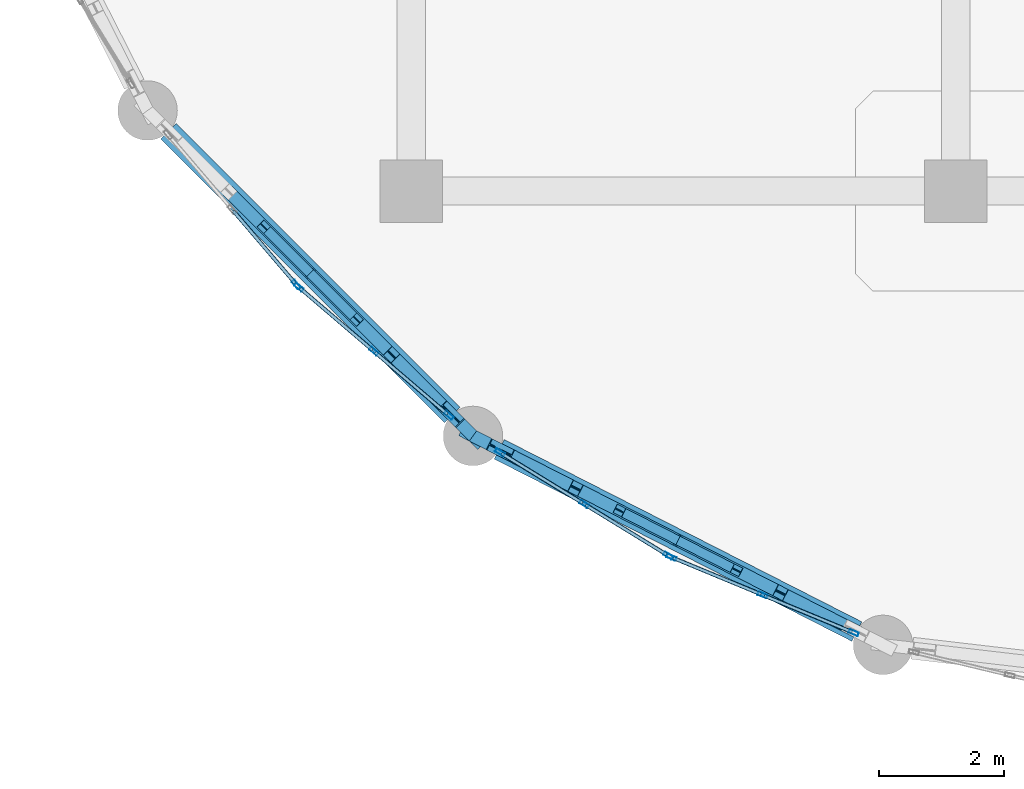
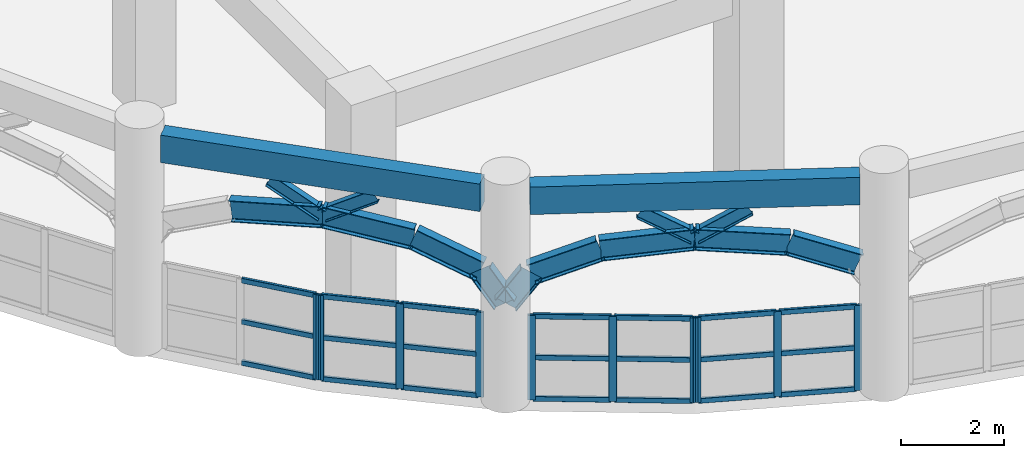
# One storey, part 2 of 114: 35 members, 11 beams, 4 elements without a shape of their own.
"""IFC4 building model written with IfcOpenShell, lengths in metres."""

from ifc_helpers import new_model, si_unit, derived_unit, direction, frame, origin, origin_2d, place, context, subcontext, project, spatial, rectangle, hollow_rectangle, i_section, extrude, material, layer, layer_set, material_profile, profile_set, type_object, element, aggregate, save


model = new_model("IFC4")

# Units and contexts
model_context = context("Model", 3, precision=1e-05, world=origin(), true_north=direction((0.0, 1.0)))
body_context = subcontext(model_context, "Body", "Model", "MODEL_VIEW")
ifc_project = project(units=[si_unit("LENGTHUNIT", "METRE"), si_unit("AREAUNIT", "SQUARE_METRE"), si_unit("VOLUMEUNIT", "CUBIC_METRE"), si_unit("PLANEANGLEUNIT", "RADIAN"), si_unit("MASSUNIT", "GRAM", prefix="KILO"), derived_unit("THERMALTRANSMITTANCEUNIT", [(si_unit("MASSUNIT", "GRAM", prefix="KILO"), 1), (si_unit("TIMEUNIT", "SECOND"), -3), (si_unit("THERMODYNAMICTEMPERATUREUNIT", "KELVIN"), -1)])], contexts=[model_context])

# Site, building, storey
site_placement = place(None, origin())
site = spatial("IfcSite", under=ifc_project, at=site_placement, CompositionType="ELEMENT")
building_placement = place(site_placement, origin())
building = spatial("IfcBuilding", under=site, at=building_placement, Name="Qinzheling Arcade Emporium", CompositionType="ELEMENT")
storey_placement = place(building_placement, frame((0.0, 0.0, 6.0)))
storey = spatial("IfcBuildingStorey", under=building, at=storey_placement, Name="L02", CompositionType="ELEMENT", Elevation=6.0)

# Beams
ifc_material_1 = material(Name="Weathering steel Q355NH", Category="steel")
ifc_material_profile_1 = material_profile(ifc_material_1, i_section(OverallWidth=0.199951171875, OverallDepth=0.5, WebThickness=0.010009765625, FlangeThickness=0.01611328125, FilletRadius=0.01806640625, at=origin_2d()), Name="HN 500x200x10x16", Category="steel")
ifc_profile_set_1 = profile_set([ifc_material_profile_1], Name="Weathering steel Q355NH")
beam_type_1 = type_object("IfcBeamType", Name="Arcade End Arch Rib HN500 Q355NH", PredefinedType="BEAM", material=ifc_profile_set_1)
for number, where, z_axis, x_axis, name in (
    (1, (5.7880859375, 8.386962890625, 3.509033203125), (0.703519590713, -0.703123167202, 0.10333439518), (0.706907474547, 0.707306031665, 0.0), "Curved Arcade Entrance Arch ARC-L02-CV1-B03-C03"),
    (2, (7.087890625, 7.087890625, 3.699951171875), (0.703123167202, -0.703519590713, -0.10333439518), (0.707306031665, 0.706907474547, 0.0), "Curved Arcade Entrance Arch ARC-L02-CV1-B03-C04"),
):
    element("IfcBeam", number, at=place(storey_placement, frame(where, z_axis=z_axis, x_axis=x_axis)), inside=storey, type_object=beam_type_1, Name=name, PredefinedType="BEAM", context=body_context, shape_type="SweptSolid", body=[
        extrude(i_section(OverallWidth=0.199951171875, OverallDepth=0.5, WebThickness=0.010009765625, FlangeThickness=0.01611328125, FilletRadius=0.01806640625, at=origin_2d()), origin(), (0.0, 0.0, 1.0), 1.84765625),
    ])
beam_1_placement = place(storey_placement, frame((8.386962890625, 5.7880859375, 3.509033203125), z_axis=(0.659465723282, -0.659465723282, -0.360846116278), x_axis=(0.707106781187, 0.707106781187, 0.0)))
element("IfcBeam", 3, at=beam_1_placement, inside=storey, type_object=beam_type_1, Name="Curved Arcade Entrance Arch ARC-L02-CV1-B03-C05", PredefinedType="BEAM", context=body_context, shape_type="SweptSolid", body=[
    extrude(i_section(OverallWidth=0.199951171875, OverallDepth=0.5, WebThickness=0.010009765625, FlangeThickness=0.01611328125, FilletRadius=0.01806640625, at=origin_2d()), origin(), (0.0, 0.0, 1.0), 1.44384765625),
])
beam_2_placement = place(storey_placement, frame((9.339111328125, 4.8359375, 2.988037109375), z_axis=(0.401552002727, -0.401552002727, -0.823111157871), x_axis=(0.707106781187, 0.707106781187, 0.0)))
element("IfcBeam", 4, at=beam_2_placement, inside=storey, type_object=beam_type_1, Name="Curved Arcade Entrance Arch ARC-L02-CV1-B03-C06", PredefinedType="BEAM", context=body_context, shape_type="SweptSolid", body=[
    extrude(i_section(OverallWidth=0.199951171875, OverallDepth=0.5, WebThickness=0.010009765625, FlangeThickness=0.01611328125, FilletRadius=0.01806640625, at=origin_2d()), origin(), (0.0, 0.0, 1.0), 0.866455078125),
])
beam_3_placement = place(storey_placement, frame((9.68701171875, 4.488037109375, 2.27490234375), z_axis=(0.506373029134, -0.258537508757, 0.822644948888), x_axis=(0.454726998779, 0.890630875605, 0.0)))
element("IfcBeam", 5, at=beam_3_placement, inside=storey, type_object=beam_type_1, Name="Curved Arcade Entrance Arch ARC-L02-CV1-B04-C01", PredefinedType="BEAM", context=body_context, shape_type="SweptSolid", body=[
    extrude(i_section(OverallWidth=0.199951171875, OverallDepth=0.5, WebThickness=0.010009765625, FlangeThickness=0.01611328125, FilletRadius=0.01806640625, at=origin_2d()), origin(), (0.0, 0.0, 1.0), 0.866943359375),
])
beam_4_placement = place(storey_placement, frame((10.1259765625, 4.263916015625, 2.988037109375), z_axis=(0.831157465024, -0.422771604079, 0.361166774661), x_axis=(0.453373771918, 0.891320493951, 0.0)))
element("IfcBeam", 6, at=beam_4_placement, inside=storey, type_object=beam_type_1, Name="Curved Arcade Entrance Arch ARC-L02-CV1-B04-C02", PredefinedType="BEAM", context=body_context, shape_type="SweptSolid", body=[
    extrude(i_section(OverallWidth=0.199951171875, OverallDepth=0.5, WebThickness=0.010009765625, FlangeThickness=0.01611328125, FilletRadius=0.01806640625, at=origin_2d()), origin(), (0.0, 0.0, 1.0), 1.442626953125),
])
beam_5_placement = place(storey_placement, frame((11.324951171875, 3.654052734375, 3.509033203125), z_axis=(0.886042070037, -0.45194092163, 0.103338538221), x_axis=(0.454373527585, 0.890811258028, 0.0)))
element("IfcBeam", 7, at=beam_5_placement, inside=storey, type_object=beam_type_1, Name="Curved Arcade Entrance Arch ARC-L02-CV1-B04-C03", PredefinedType="BEAM", context=body_context, shape_type="SweptSolid", body=[
    extrude(i_section(OverallWidth=0.199951171875, OverallDepth=0.5, WebThickness=0.010009765625, FlangeThickness=0.01611328125, FilletRadius=0.01806640625, at=origin_2d()), origin(), (0.0, 0.0, 1.0), 1.847412109375),
])
beam_6_placement = place(storey_placement, frame((12.9619140625, 2.819091796875, 3.699951171875), z_axis=(0.886395360669, -0.451255819977, -0.103302708203), x_axis=(0.45368304067, 0.891163115601, 0.0)))
element("IfcBeam", 8, at=beam_6_placement, inside=storey, type_object=beam_type_1, Name="Curved Arcade Entrance Arch ARC-L02-CV1-B04-C04", PredefinedType="BEAM", context=body_context, shape_type="SweptSolid", body=[
    extrude(i_section(OverallWidth=0.199951171875, OverallDepth=0.5, WebThickness=0.010009765625, FlangeThickness=0.01611328125, FilletRadius=0.01806640625, at=origin_2d()), origin(), (0.0, 0.0, 1.0), 1.84814453125),
])
beam_7_placement = place(storey_placement, frame((14.60009765625, 1.985107421875, 3.509033203125), z_axis=(0.830859974108, -0.423466201424, -0.36103750453), x_axis=(0.454094271362, 0.890953642293, 0.0)))
element("IfcBeam", 9, at=beam_7_placement, inside=storey, type_object=beam_type_1, Name="Curved Arcade Entrance Arch ARC-L02-CV1-B04-C05", PredefinedType="BEAM", context=body_context, shape_type="SweptSolid", body=[
    extrude(i_section(OverallWidth=0.199951171875, OverallDepth=0.5, WebThickness=0.010009765625, FlangeThickness=0.01611328125, FilletRadius=0.01806640625, at=origin_2d()), origin(), (0.0, 0.0, 1.0), 1.443115234375),
])

# Members
ifc_material_profile_2 = material_profile(ifc_material_1, i_section(OverallWidth=0.14990234375, OverallDepth=0.300048828125, WebThickness=0.006591796875, FlangeThickness=0.009033203125, FilletRadius=0.012939453125, at=origin_2d()), Name="HN 300x150x6.5x9", Category="steel")
ifc_profile_set_2 = profile_set([ifc_material_profile_2], Name="Weathering steel Q355NH")
member_type_1 = type_object("IfcMemberType", Name="Arcade Spandrel Web Chord HN300 Q355NH", PredefinedType="CHORD", material=ifc_profile_set_2)
for number, where, z_axis, x_axis, name in (
    (10, (7.087890625, 7.087890625, 3.7099609375), (-0.604070350745, 0.603474816387, 0.520497029134), (-0.706757965934, -0.707455424453, 0.0), "Arcade Spandrel Web Chord ASW-L02-CV1-B03-W1"),
    (11, (7.087890625, 7.087890625, 3.7099609375), (0.603474816387, -0.604070350745, 0.520497029134), (0.707455424453, 0.706757965934, 0.0), "Arcade Spandrel Web Chord ASW-L02-CV1-B03-W2"),
):
    element("IfcMember", number, at=place(storey_placement, frame(where, z_axis=z_axis, x_axis=x_axis)), inside=storey, type_object=member_type_1, Name=name, PredefinedType="CHORD", context=body_context, shape_type="SweptSolid", body=[
        extrude(i_section(OverallWidth=0.14990234375, OverallDepth=0.300048828125, WebThickness=0.006591796875, FlangeThickness=0.009033203125, FilletRadius=0.012939453125, at=origin_2d()), origin(), (0.0, 0.0, 1.0), 1.229736328125),
    ])
member_1_placement = place(storey_placement, frame((12.9619140625, 2.819091796875, 3.7099609375), z_axis=(-0.760490027653, 0.38789162288, 0.520763868505), x_axis=(-0.454364854238, -0.890815681964, 0.0)))
element("IfcMember", 12, at=member_1_placement, inside=storey, type_object=member_type_1, Name="Arcade Spandrel Web Chord ASW-L02-CV1-B04-W1", PredefinedType="CHORD", context=body_context, shape_type="SweptSolid", body=[
    extrude(i_section(OverallWidth=0.14990234375, OverallDepth=0.300048828125, WebThickness=0.006591796875, FlangeThickness=0.009033203125, FilletRadius=0.012939453125, at=origin_2d()), origin(), (0.0, 0.0, 1.0), 1.229248046875),
])
member_2_placement = place(storey_placement, frame((12.9619140625, 2.819091796875, 3.7099609375), z_axis=(0.760849744459, -0.387767449315, 0.520330732908), x_axis=(0.454078946056, 0.890961453009, 0.0)))
element("IfcMember", 13, at=member_2_placement, inside=storey, type_object=member_type_1, Name="Arcade Spandrel Web Chord ASW-L02-CV1-B04-W2", PredefinedType="CHORD", context=body_context, shape_type="SweptSolid", body=[
    extrude(i_section(OverallWidth=0.14990234375, OverallDepth=0.300048828125, WebThickness=0.006591796875, FlangeThickness=0.009033203125, FilletRadius=0.012939453125, at=origin_2d()), origin(), (0.0, 0.0, 1.0), 1.230224609375),
])

# Curtain wall, members
ifc_material_2 = material(Name="Anodised aluminium and solar-control double glazing", Category="aluminium")
ifc_layer = layer(ifc_material_2, 0.159912109375, Name="Anodised aluminium and solar-control double glazing", Category="aluminium")
ifc_layer_set = layer_set([ifc_layer], Name="Anodised aluminium and solar-control double glazing")
curtain_wall_type = type_object("IfcCurtainWallType", Name="Curved Ribbon Sales Curtain Wall", PredefinedType="NOTDEFINED", material=ifc_layer_set)
curtain_wall_1_placement = place(storey_placement, origin())
curtain_wall_1 = element("IfcCurtainWall", 14, at=curtain_wall_1_placement, inside=storey, type_object=curtain_wall_type, Name="Curtain Wall CW-L02-075", PredefinedType="NOTDEFINED")
ifc_material_3 = material(Name="Anodised aluminium 6063-T6", Category="aluminium")
ifc_material_profile_3 = material_profile(ifc_material_3, hollow_rectangle(XDim=0.06005859375, YDim=0.159912109375, WallThickness=0.00390625, InnerFilletRadius=0.00390625, OuterFilletRadius=0.008056640625, at=origin_2d()), Name="RHS 160x60x4", Category="aluminium")
ifc_profile_set_3 = profile_set([ifc_material_profile_3], Name="Anodised aluminium 6063-T6")
member_type_2 = type_object("IfcMemberType", Name="Curtain Wall Mullion RHS160x60", PredefinedType="MULLION", material=ifc_profile_set_3)
member_3_placement = place(storey_placement, frame((15.769287109375, 1.344482421875, 0.0), z_axis=(0.0, 0.0, 1.0), x_axis=(-0.382535212849, -0.923940913117, 0.0)))
member_3 = element("IfcMember", 15, at=member_3_placement, type_object=member_type_2, Name="CW02 mullion 1", PredefinedType="MULLION", context=body_context, shape_type="SweptSolid", body=[
    extrude(hollow_rectangle(XDim=0.06005859375, YDim=0.159912109375, WallThickness=0.00390625, InnerFilletRadius=0.00390625, OuterFilletRadius=0.008056640625, at=origin_2d()), origin(), (0.0, 0.0, 1.0), 2.010009765625),
])
member_4_placement = place(storey_placement, frame((14.31396484375, 1.947021484375, 0.0), z_axis=(0.0, 0.0, 1.0), x_axis=(-0.382535212849, -0.923940913117, 0.0)))
member_4 = element("IfcMember", 16, at=member_4_placement, type_object=member_type_2, Name="CW02 mullion 2", PredefinedType="MULLION", context=body_context, shape_type="SweptSolid", body=[
    extrude(hollow_rectangle(XDim=0.06005859375, YDim=0.159912109375, WallThickness=0.00390625, InnerFilletRadius=0.00390625, OuterFilletRadius=0.008056640625, at=origin_2d()), origin(), (0.0, 0.0, 1.0), 2.010009765625),
])
member_5_placement = place(storey_placement, frame((12.858642578125, 2.549560546875, 0.0), z_axis=(0.0, 0.0, 1.0), x_axis=(-0.382535212849, -0.923940913117, 0.0)))
member_5 = element("IfcMember", 17, at=member_5_placement, type_object=member_type_2, Name="CW02 mullion 3", PredefinedType="MULLION", context=body_context, shape_type="SweptSolid", body=[
    extrude(hollow_rectangle(XDim=0.06005859375, YDim=0.159912109375, WallThickness=0.00390625, InnerFilletRadius=0.00390625, OuterFilletRadius=0.008056640625, at=origin_2d()), origin(), (0.0, 0.0, 1.0), 2.010009765625),
])

curtain_wall_2_placement = place(storey_placement, origin())
curtain_wall_2 = element("IfcCurtainWall", 18, at=curtain_wall_2_placement, inside=storey, type_object=curtain_wall_type, Name="Curtain Wall CW-L02-076", PredefinedType="NOTDEFINED")
member_6_placement = place(storey_placement, frame((12.805419921875, 2.57666015625, 0.0), z_axis=(0.0, 0.0, 1.0), x_axis=(-0.522671615243, -0.852534094696, 0.0)))
member_6 = element("IfcMember", 19, at=member_6_placement, type_object=member_type_2, Name="CW02 mullion 1", PredefinedType="MULLION", context=body_context, shape_type="SweptSolid", body=[
    extrude(hollow_rectangle(XDim=0.06005859375, YDim=0.159912109375, WallThickness=0.00390625, InnerFilletRadius=0.00390625, OuterFilletRadius=0.008056640625, at=origin_2d()), origin(), (0.0, 0.0, 1.0), 2.010009765625),
])
member_7_placement = place(storey_placement, frame((11.46240234375, 3.39990234375, 0.0), z_axis=(0.0, 0.0, 1.0), x_axis=(-0.522671615243, -0.852534094696, 0.0)))
member_7 = element("IfcMember", 20, at=member_7_placement, type_object=member_type_2, Name="CW02 mullion 2", PredefinedType="MULLION", context=body_context, shape_type="SweptSolid", body=[
    extrude(hollow_rectangle(XDim=0.06005859375, YDim=0.159912109375, WallThickness=0.00390625, InnerFilletRadius=0.00390625, OuterFilletRadius=0.008056640625, at=origin_2d()), origin(), (0.0, 0.0, 1.0), 2.010009765625),
])
member_8_placement = place(storey_placement, frame((10.11962890625, 4.223388671875, 0.0), z_axis=(0.0, 0.0, 1.0), x_axis=(-0.522671615243, -0.852534094696, 0.0)))
member_8 = element("IfcMember", 21, at=member_8_placement, type_object=member_type_2, Name="CW02 mullion 3", PredefinedType="MULLION", context=body_context, shape_type="SweptSolid", body=[
    extrude(hollow_rectangle(XDim=0.06005859375, YDim=0.159912109375, WallThickness=0.00390625, InnerFilletRadius=0.00390625, OuterFilletRadius=0.008056640625, at=origin_2d()), origin(), (0.0, 0.0, 1.0), 2.010009765625),
])

curtain_wall_3_placement = place(storey_placement, origin())
curtain_wall_3 = element("IfcCurtainWall", 22, at=curtain_wall_3_placement, inside=storey, type_object=curtain_wall_type, Name="Curtain Wall CW-L02-077", PredefinedType="NOTDEFINED")
member_9_placement = place(storey_placement, frame((9.30126953125, 4.8173828125, 0.0), z_axis=(0.0, 0.0, 1.0), x_axis=(-0.649482098021, -0.760376883098, 0.0)))
member_9 = element("IfcMember", 23, at=member_9_placement, type_object=member_type_2, Name="CW02 mullion 1", PredefinedType="MULLION", context=body_context, shape_type="SweptSolid", body=[
    extrude(hollow_rectangle(XDim=0.06005859375, YDim=0.159912109375, WallThickness=0.00390625, InnerFilletRadius=0.00390625, OuterFilletRadius=0.008056640625, at=origin_2d()), origin(), (0.0, 0.0, 1.0), 2.010009765625),
])
member_10_placement = place(storey_placement, frame((8.103515625, 5.840576171875, 0.0), z_axis=(0.0, 0.0, 1.0), x_axis=(-0.649482098021, -0.760376883098, 0.0)))
member_10 = element("IfcMember", 24, at=member_10_placement, type_object=member_type_2, Name="CW02 mullion 2", PredefinedType="MULLION", context=body_context, shape_type="SweptSolid", body=[
    extrude(hollow_rectangle(XDim=0.06005859375, YDim=0.159912109375, WallThickness=0.00390625, InnerFilletRadius=0.00390625, OuterFilletRadius=0.008056640625, at=origin_2d()), origin(), (0.0, 0.0, 1.0), 2.010009765625),
])
member_11_placement = place(storey_placement, frame((6.90576171875, 6.863525390625, 0.0), z_axis=(0.0, 0.0, 1.0), x_axis=(-0.649482098021, -0.760376883098, 0.0)))
member_11 = element("IfcMember", 25, at=member_11_placement, type_object=member_type_2, Name="CW02 mullion 3", PredefinedType="MULLION", context=body_context, shape_type="SweptSolid", body=[
    extrude(hollow_rectangle(XDim=0.06005859375, YDim=0.159912109375, WallThickness=0.00390625, InnerFilletRadius=0.00390625, OuterFilletRadius=0.008056640625, at=origin_2d()), origin(), (0.0, 0.0, 1.0), 2.010009765625),
])

# Curtain wall, member
curtain_wall_4_placement = place(storey_placement, origin())
curtain_wall_4 = element("IfcCurtainWall", 26, at=curtain_wall_4_placement, inside=storey, type_object=curtain_wall_type, Name="Curtain Wall CW-L02-078", PredefinedType="NOTDEFINED")
member_12_placement = place(storey_placement, frame((6.863525390625, 6.90576171875, 0.0), z_axis=(0.0, 0.0, 1.0), x_axis=(-0.760376883098, -0.649482098021, 0.0)))
member_12 = element("IfcMember", 27, at=member_12_placement, type_object=member_type_2, Name="CW02 mullion 1", PredefinedType="MULLION", context=body_context, shape_type="SweptSolid", body=[
    extrude(hollow_rectangle(XDim=0.06005859375, YDim=0.159912109375, WallThickness=0.00390625, InnerFilletRadius=0.00390625, OuterFilletRadius=0.008056640625, at=origin_2d()), origin(), (0.0, 0.0, 1.0), 2.010009765625),
])

# Member
ifc_material_profile_4 = material_profile(ifc_material_3, hollow_rectangle(XDim=0.06005859375, YDim=0.1201171875, WallThickness=0.00390625, InnerFilletRadius=0.00390625, OuterFilletRadius=0.008056640625, at=origin_2d()), Name="RHS 120x60x4", Category="aluminium")
ifc_profile_set_4 = profile_set([ifc_material_profile_4], Name="Anodised aluminium 6063-T6")
member_type_3 = type_object("IfcMemberType", Name="Curtain Wall Transom RHS120x60", PredefinedType="USERDEFINED", material=ifc_profile_set_4)
member_13_placement = place(storey_placement, frame((15.741455078125, 1.35595703125, 0.030029296875), z_axis=(-0.923918634676, 0.382589017743, 0.0), x_axis=(-0.382589017743, -0.923918634676, 0.0)))
member_13 = element("IfcMember", 28, at=member_13_placement, type_object=member_type_3, Name="CW02 transom 1.1", ObjectType="TRANSOM", PredefinedType="USERDEFINED", context=body_context, shape_type="SweptSolid", body=[
    extrude(hollow_rectangle(XDim=0.06005859375, YDim=0.1201171875, WallThickness=0.00390625, InnerFilletRadius=0.00390625, OuterFilletRadius=0.008056640625, at=origin_2d()), origin(), (0.0, 0.0, 1.0), 1.514892578125),
])

member_14_placement = place(storey_placement, frame((15.741455078125, 1.35595703125, 1.0048828125), z_axis=(-0.923918634676, 0.382589017743, 0.0), x_axis=(-0.382589017743, -0.923918634676, 0.0)))
member_14 = element("IfcMember", 29, at=member_14_placement, type_object=member_type_3, Name="CW02 transom 1.2", ObjectType="TRANSOM", PredefinedType="USERDEFINED", context=body_context, shape_type="SweptSolid", body=[
    extrude(hollow_rectangle(XDim=0.06005859375, YDim=0.1201171875, WallThickness=0.00390625, InnerFilletRadius=0.00390625, OuterFilletRadius=0.008056640625, at=origin_2d()), origin(), (0.0, 0.0, 1.0), 1.514892578125),
])

member_15_placement = place(storey_placement, frame((15.741455078125, 1.35595703125, 1.97998046875), z_axis=(-0.923918634676, 0.382589017743, 0.0), x_axis=(-0.382589017743, -0.923918634676, 0.0)))
member_15 = element("IfcMember", 30, at=member_15_placement, type_object=member_type_3, Name="CW02 transom 1.3", ObjectType="TRANSOM", PredefinedType="USERDEFINED", context=body_context, shape_type="SweptSolid", body=[
    extrude(hollow_rectangle(XDim=0.06005859375, YDim=0.1201171875, WallThickness=0.00390625, InnerFilletRadius=0.00390625, OuterFilletRadius=0.008056640625, at=origin_2d()), origin(), (0.0, 0.0, 1.0), 1.514892578125),
])

member_16_placement = place(storey_placement, frame((14.286376953125, 1.95849609375, 0.030029296875), z_axis=(-0.923942218803, 0.382532059197, 0.0), x_axis=(-0.382532059197, -0.923942218803, 0.0)))
member_16 = element("IfcMember", 31, at=member_16_placement, type_object=member_type_3, Name="CW02 transom 2.1", ObjectType="TRANSOM", PredefinedType="USERDEFINED", context=body_context, shape_type="SweptSolid", body=[
    extrude(hollow_rectangle(XDim=0.06005859375, YDim=0.1201171875, WallThickness=0.00390625, InnerFilletRadius=0.00390625, OuterFilletRadius=0.008056640625, at=origin_2d()), origin(), (0.0, 0.0, 1.0), 1.51513671875),
])

member_17_placement = place(storey_placement, frame((14.286376953125, 1.95849609375, 1.0048828125), z_axis=(-0.923942218803, 0.382532059197, 0.0), x_axis=(-0.382532059197, -0.923942218803, 0.0)))
member_17 = element("IfcMember", 32, at=member_17_placement, type_object=member_type_3, Name="CW02 transom 2.2", ObjectType="TRANSOM", PredefinedType="USERDEFINED", context=body_context, shape_type="SweptSolid", body=[
    extrude(hollow_rectangle(XDim=0.06005859375, YDim=0.1201171875, WallThickness=0.00390625, InnerFilletRadius=0.00390625, OuterFilletRadius=0.008056640625, at=origin_2d()), origin(), (0.0, 0.0, 1.0), 1.51513671875),
])

member_18_placement = place(storey_placement, frame((14.286376953125, 1.95849609375, 1.97998046875), z_axis=(-0.923942218803, 0.382532059197, 0.0), x_axis=(-0.382532059197, -0.923942218803, 0.0)))
member_18 = element("IfcMember", 33, at=member_18_placement, type_object=member_type_3, Name="CW02 transom 2.3", ObjectType="TRANSOM", PredefinedType="USERDEFINED", context=body_context, shape_type="SweptSolid", body=[
    extrude(hollow_rectangle(XDim=0.06005859375, YDim=0.1201171875, WallThickness=0.00390625, InnerFilletRadius=0.00390625, OuterFilletRadius=0.008056640625, at=origin_2d()), origin(), (0.0, 0.0, 1.0), 1.51513671875),
])

aggregate(curtain_wall_1, [member_3, member_4, member_5, member_13, member_14, member_15, member_16, member_17, member_18])

member_19_placement = place(storey_placement, frame((12.77978515625, 2.59228515625, 0.030029296875), z_axis=(-0.852520191393, 0.522694292361, 0.0), x_axis=(-0.522694292361, -0.852520191393, 0.0)))
member_19 = element("IfcMember", 34, at=member_19_placement, type_object=member_type_3, Name="CW02 transom 1.1", ObjectType="TRANSOM", PredefinedType="USERDEFINED", context=body_context, shape_type="SweptSolid", body=[
    extrude(hollow_rectangle(XDim=0.06005859375, YDim=0.1201171875, WallThickness=0.00390625, InnerFilletRadius=0.00390625, OuterFilletRadius=0.008056640625, at=origin_2d()), origin(), (0.0, 0.0, 1.0), 1.51513671875),
])

member_20_placement = place(storey_placement, frame((12.77978515625, 2.59228515625, 1.0048828125), z_axis=(-0.852520191393, 0.522694292361, 0.0), x_axis=(-0.522694292361, -0.852520191393, 0.0)))
member_20 = element("IfcMember", 35, at=member_20_placement, type_object=member_type_3, Name="CW02 transom 1.2", ObjectType="TRANSOM", PredefinedType="USERDEFINED", context=body_context, shape_type="SweptSolid", body=[
    extrude(hollow_rectangle(XDim=0.06005859375, YDim=0.1201171875, WallThickness=0.00390625, InnerFilletRadius=0.00390625, OuterFilletRadius=0.008056640625, at=origin_2d()), origin(), (0.0, 0.0, 1.0), 1.51513671875),
])

member_21_placement = place(storey_placement, frame((12.77978515625, 2.59228515625, 1.97998046875), z_axis=(-0.852520191393, 0.522694292361, 0.0), x_axis=(-0.522694292361, -0.852520191393, 0.0)))
member_21 = element("IfcMember", 36, at=member_21_placement, type_object=member_type_3, Name="CW02 transom 1.3", ObjectType="TRANSOM", PredefinedType="USERDEFINED", context=body_context, shape_type="SweptSolid", body=[
    extrude(hollow_rectangle(XDim=0.06005859375, YDim=0.1201171875, WallThickness=0.00390625, InnerFilletRadius=0.00390625, OuterFilletRadius=0.008056640625, at=origin_2d()), origin(), (0.0, 0.0, 1.0), 1.51513671875),
])

member_22_placement = place(storey_placement, frame((11.43701171875, 3.415771484375, 0.030029296875), z_axis=(-0.852591988553, 0.522577172345, 0.0), x_axis=(-0.522577172345, -0.852591988553, 0.0)))
member_22 = element("IfcMember", 37, at=member_22_placement, type_object=member_type_3, Name="CW02 transom 2.1", ObjectType="TRANSOM", PredefinedType="USERDEFINED", context=body_context, shape_type="SweptSolid", body=[
    extrude(hollow_rectangle(XDim=0.06005859375, YDim=0.1201171875, WallThickness=0.00390625, InnerFilletRadius=0.00390625, OuterFilletRadius=0.008056640625, at=origin_2d()), origin(), (0.0, 0.0, 1.0), 1.51513671875),
])

member_23_placement = place(storey_placement, frame((11.43701171875, 3.415771484375, 1.0048828125), z_axis=(-0.852591988553, 0.522577172345, 0.0), x_axis=(-0.522577172345, -0.852591988553, 0.0)))
member_23 = element("IfcMember", 38, at=member_23_placement, type_object=member_type_3, Name="CW02 transom 2.2", ObjectType="TRANSOM", PredefinedType="USERDEFINED", context=body_context, shape_type="SweptSolid", body=[
    extrude(hollow_rectangle(XDim=0.06005859375, YDim=0.1201171875, WallThickness=0.00390625, InnerFilletRadius=0.00390625, OuterFilletRadius=0.008056640625, at=origin_2d()), origin(), (0.0, 0.0, 1.0), 1.51513671875),
])

member_24_placement = place(storey_placement, frame((11.43701171875, 3.415771484375, 1.97998046875), z_axis=(-0.852591988553, 0.522577172345, 0.0), x_axis=(-0.522577172345, -0.852591988553, 0.0)))
member_24 = element("IfcMember", 39, at=member_24_placement, type_object=member_type_3, Name="CW02 transom 2.3", ObjectType="TRANSOM", PredefinedType="USERDEFINED", context=body_context, shape_type="SweptSolid", body=[
    extrude(hollow_rectangle(XDim=0.06005859375, YDim=0.1201171875, WallThickness=0.00390625, InnerFilletRadius=0.00390625, OuterFilletRadius=0.008056640625, at=origin_2d()), origin(), (0.0, 0.0, 1.0), 1.51513671875),
])

aggregate(curtain_wall_2, [member_6, member_7, member_8, member_19, member_20, member_21, member_22, member_23, member_24])

member_25_placement = place(storey_placement, frame((9.2783203125, 4.8369140625, 0.030029296875), z_axis=(-0.760358758069, 0.64950331718, 0.0), x_axis=(-0.64950331718, -0.760358758069, 0.0)))
member_25 = element("IfcMember", 40, at=member_25_placement, type_object=member_type_3, Name="CW02 transom 1.1", ObjectType="TRANSOM", PredefinedType="USERDEFINED", context=body_context, shape_type="SweptSolid", body=[
    extrude(hollow_rectangle(XDim=0.06005859375, YDim=0.1201171875, WallThickness=0.00390625, InnerFilletRadius=0.00390625, OuterFilletRadius=0.008056640625, at=origin_2d()), origin(), (0.0, 0.0, 1.0), 1.51513671875),
])

member_26_placement = place(storey_placement, frame((9.2783203125, 4.8369140625, 1.0048828125), z_axis=(-0.760358758069, 0.64950331718, 0.0), x_axis=(-0.64950331718, -0.760358758069, 0.0)))
member_26 = element("IfcMember", 41, at=member_26_placement, type_object=member_type_3, Name="CW02 transom 1.2", ObjectType="TRANSOM", PredefinedType="USERDEFINED", context=body_context, shape_type="SweptSolid", body=[
    extrude(hollow_rectangle(XDim=0.06005859375, YDim=0.1201171875, WallThickness=0.00390625, InnerFilletRadius=0.00390625, OuterFilletRadius=0.008056640625, at=origin_2d()), origin(), (0.0, 0.0, 1.0), 1.51513671875),
])

member_27_placement = place(storey_placement, frame((9.2783203125, 4.8369140625, 1.97998046875), z_axis=(-0.760358758069, 0.64950331718, 0.0), x_axis=(-0.64950331718, -0.760358758069, 0.0)))
member_27 = element("IfcMember", 42, at=member_27_placement, type_object=member_type_3, Name="CW02 transom 1.3", ObjectType="TRANSOM", PredefinedType="USERDEFINED", context=body_context, shape_type="SweptSolid", body=[
    extrude(hollow_rectangle(XDim=0.06005859375, YDim=0.1201171875, WallThickness=0.00390625, InnerFilletRadius=0.00390625, OuterFilletRadius=0.008056640625, at=origin_2d()), origin(), (0.0, 0.0, 1.0), 1.51513671875),
])

member_28_placement = place(storey_placement, frame((8.080810546875, 5.85986328125, 0.030029296875), z_axis=(-0.760358758069, 0.64950331718, 0.0), x_axis=(-0.64950331718, -0.760358758069, 0.0)))
member_28 = element("IfcMember", 43, at=member_28_placement, type_object=member_type_3, Name="CW02 transom 2.1", ObjectType="TRANSOM", PredefinedType="USERDEFINED", context=body_context, shape_type="SweptSolid", body=[
    extrude(hollow_rectangle(XDim=0.06005859375, YDim=0.1201171875, WallThickness=0.00390625, InnerFilletRadius=0.00390625, OuterFilletRadius=0.008056640625, at=origin_2d()), origin(), (0.0, 0.0, 1.0), 1.51513671875),
])

member_29_placement = place(storey_placement, frame((8.080810546875, 5.85986328125, 1.0048828125), z_axis=(-0.760358758069, 0.64950331718, 0.0), x_axis=(-0.64950331718, -0.760358758069, 0.0)))
member_29 = element("IfcMember", 44, at=member_29_placement, type_object=member_type_3, Name="CW02 transom 2.2", ObjectType="TRANSOM", PredefinedType="USERDEFINED", context=body_context, shape_type="SweptSolid", body=[
    extrude(hollow_rectangle(XDim=0.06005859375, YDim=0.1201171875, WallThickness=0.00390625, InnerFilletRadius=0.00390625, OuterFilletRadius=0.008056640625, at=origin_2d()), origin(), (0.0, 0.0, 1.0), 1.51513671875),
])

member_30_placement = place(storey_placement, frame((8.080810546875, 5.85986328125, 1.97998046875), z_axis=(-0.760358758069, 0.64950331718, 0.0), x_axis=(-0.64950331718, -0.760358758069, 0.0)))
member_30 = element("IfcMember", 45, at=member_30_placement, type_object=member_type_3, Name="CW02 transom 2.3", ObjectType="TRANSOM", PredefinedType="USERDEFINED", context=body_context, shape_type="SweptSolid", body=[
    extrude(hollow_rectangle(XDim=0.06005859375, YDim=0.1201171875, WallThickness=0.00390625, InnerFilletRadius=0.00390625, OuterFilletRadius=0.008056640625, at=origin_2d()), origin(), (0.0, 0.0, 1.0), 1.51513671875),
])

aggregate(curtain_wall_3, [member_9, member_10, member_11, member_25, member_26, member_27, member_28, member_29, member_30])

member_31_placement = place(storey_placement, frame((6.843994140625, 6.9287109375, 0.030029296875), z_axis=(-0.64950331718, 0.760358758069, 0.0), x_axis=(-0.760358758069, -0.64950331718, 0.0)))
member_31 = element("IfcMember", 46, at=member_31_placement, type_object=member_type_3, Name="CW02 transom 1.1", ObjectType="TRANSOM", PredefinedType="USERDEFINED", context=body_context, shape_type="SweptSolid", body=[
    extrude(hollow_rectangle(XDim=0.06005859375, YDim=0.1201171875, WallThickness=0.00390625, InnerFilletRadius=0.00390625, OuterFilletRadius=0.008056640625, at=origin_2d()), origin(), (0.0, 0.0, 1.0), 1.51513671875),
])

member_32_placement = place(storey_placement, frame((6.843994140625, 6.9287109375, 1.0048828125), z_axis=(-0.64950331718, 0.760358758069, 0.0), x_axis=(-0.760358758069, -0.64950331718, 0.0)))
member_32 = element("IfcMember", 47, at=member_32_placement, type_object=member_type_3, Name="CW02 transom 1.2", ObjectType="TRANSOM", PredefinedType="USERDEFINED", context=body_context, shape_type="SweptSolid", body=[
    extrude(hollow_rectangle(XDim=0.06005859375, YDim=0.1201171875, WallThickness=0.00390625, InnerFilletRadius=0.00390625, OuterFilletRadius=0.008056640625, at=origin_2d()), origin(), (0.0, 0.0, 1.0), 1.51513671875),
])

member_33_placement = place(storey_placement, frame((6.843994140625, 6.9287109375, 1.97998046875), z_axis=(-0.64950331718, 0.760358758069, 0.0), x_axis=(-0.760358758069, -0.64950331718, 0.0)))
member_33 = element("IfcMember", 48, at=member_33_placement, type_object=member_type_3, Name="CW02 transom 1.3", ObjectType="TRANSOM", PredefinedType="USERDEFINED", context=body_context, shape_type="SweptSolid", body=[
    extrude(hollow_rectangle(XDim=0.06005859375, YDim=0.1201171875, WallThickness=0.00390625, InnerFilletRadius=0.00390625, OuterFilletRadius=0.008056640625, at=origin_2d()), origin(), (0.0, 0.0, 1.0), 1.51513671875),
])

aggregate(curtain_wall_4, [member_12, member_31, member_32, member_33])

# Beams
ifc_material_4 = material(Name="Concrete C40", Category="concrete")
ifc_material_profile_5 = material_profile(ifc_material_4, rectangle(XDim=0.35009765625, YDim=0.64990234375, at=origin_2d()), Name="RC 350x650", Category="concrete")
ifc_profile_set_5 = profile_set([ifc_material_profile_5], Name="Concrete C40")
beam_type_2 = type_object("IfcBeamType", Name="RC Spandrel Edge Beam 350x650 C40", PredefinedType="SPANDREL", material=ifc_profile_set_5)
beam_8_placement = place(storey_placement, frame((4.820068359375, 9.35498046875, 4.794921875), z_axis=(0.707106781187, -0.707106781187, 0.0), x_axis=(0.707106781187, 0.707106781187, 0.0)))
element("IfcBeam", 49, at=beam_8_placement, inside=storey, type_object=beam_type_2, Name="Curved Arcade Spandrel BM-L02-CV1-B03", PredefinedType="SPANDREL", context=body_context, shape_type="SweptSolid", body=[
    extrude(rectangle(XDim=0.35009765625, YDim=0.64990234375, at=origin_2d()), origin(), (0.0, 0.0, 1.0), 6.413330078125),
])
beam_9_placement = place(storey_placement, frame((10.10595703125, 4.27490234375, 4.794921875), z_axis=(0.890951151868, -0.454099157657, 0.0), x_axis=(0.454099157657, 0.890951151868, 0.0)))
element("IfcBeam", 50, at=beam_9_placement, inside=storey, type_object=beam_type_2, Name="Curved Arcade Spandrel BM-L02-CV1-B04", PredefinedType="SPANDREL", context=body_context, shape_type="SweptSolid", body=[
    extrude(rectangle(XDim=0.35009765625, YDim=0.64990234375, at=origin_2d()), origin(), (0.0, 0.0, 1.0), 6.412353515625),
])

save(model, "model.ifc")
